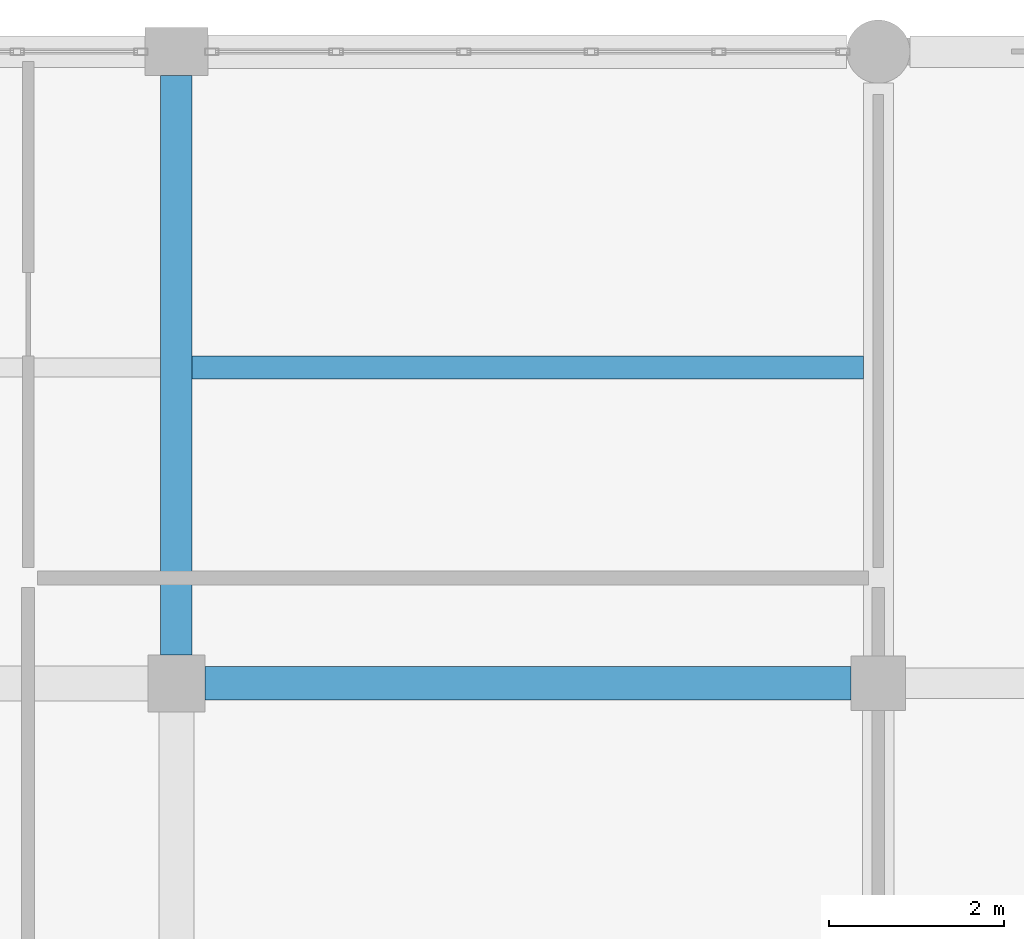
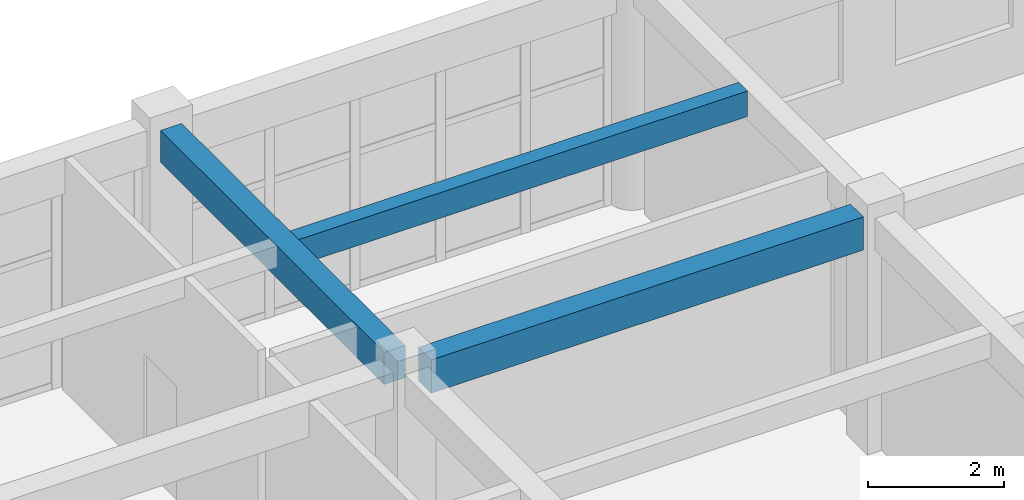
# One storey, part 76 of 160: 3 beams.
"""IFC4 building model written with IfcOpenShell, lengths in metres."""

from ifc_helpers import new_model, si_unit, direction, frame, origin, origin_2d, place, context, subcontext, project, spatial, rectangle, extrude, material, material_profile, profile_set, type_object, element, save


model = new_model("IFC4")

# Units and contexts
model_context = context("Model", 3, precision=1e-05, world=origin(), true_north=direction((0.0, 1.0)))
body_context = subcontext(model_context, "Body", "Model", "MODEL_VIEW")
ifc_project = project(units=[si_unit("LENGTHUNIT", "METRE"), si_unit("AREAUNIT", "SQUARE_METRE"), si_unit("VOLUMEUNIT", "CUBIC_METRE"), si_unit("PLANEANGLEUNIT", "RADIAN"), si_unit("MASSUNIT", "GRAM", prefix="KILO")], contexts=[model_context])

# Site, building, storey
site_placement = place(None, origin())
site = spatial("IfcSite", under=ifc_project, at=site_placement, CompositionType="ELEMENT")
building_placement = place(site_placement, origin())
building = spatial("IfcBuilding", under=site, at=building_placement, Name="Kharva Crest Polytechnic", CompositionType="ELEMENT")
storey_placement = place(building_placement, frame((0.0, 0.0, 4.5)))
storey = spatial("IfcBuildingStorey", under=building, at=storey_placement, Name="L01", CompositionType="ELEMENT", Elevation=4.5)

# Beams
ifc_material = material(Name="Concrete C35/45", Category="concrete")
ifc_material_profile_1 = material_profile(ifc_material, rectangle(XDim=0.360107421875, YDim=0.580078125, at=origin_2d()), Name="RECT 360 X 580")
ifc_profile_set_1 = profile_set([ifc_material_profile_1], Name="Concrete C35/45")
beam_type_1 = type_object("IfcBeamType", Name="BM-RC-360X580", PredefinedType="BEAM", material=ifc_profile_set_1)
beam_1_placement = place(storey_placement, frame((40.0, 115.125, 3.929931640625), z_axis=(0.0, 1.0, 0.0), x_axis=(-1.0, 0.0, 0.0)))
element("IfcBeam", 1, at=beam_1_placement, inside=storey, type_object=beam_type_1, Name="L01 Girder 6/R-S", PredefinedType="BEAM", context=body_context, shape_type="SweptSolid", body=[
    extrude(rectangle(XDim=0.360107421875, YDim=0.580078125, at=origin_2d()), origin(), (0.0, 0.0, 1.0), 6.60009765625),
])
ifc_material_profile_2 = material_profile(ifc_material, rectangle(XDim=0.3798828125, YDim=0.60009765625, at=origin_2d()), Name="RECT 380 X 600")
ifc_profile_set_2 = profile_set([ifc_material_profile_2], Name="Concrete C35/45")
beam_type_2 = type_object("IfcBeamType", Name="BM-RC-380X600", PredefinedType="BEAM", material=ifc_profile_set_2)
beam_2_placement = place(storey_placement, frame((40.324951171875, 114.800048828125, 3.919921875), z_axis=(1.0, 0.0, 0.0), x_axis=(0.0, 1.0, 0.0)))
element("IfcBeam", 2, at=beam_2_placement, inside=storey, type_object=beam_type_2, Name="L01 Beam R/6-7", PredefinedType="BEAM", context=body_context, shape_type="SweptSolid", body=[
    extrude(rectangle(XDim=0.3798828125, YDim=0.60009765625, at=origin_2d()), origin(), (0.0, 0.0, 1.0), 7.364990234375),
])
ifc_material_profile_3 = material_profile(ifc_material, rectangle(XDim=0.260009765625, YDim=0.4599609375, at=origin_2d()), Name="RECT 260 X 460")
ifc_profile_set_3 = profile_set([ifc_material_profile_3], Name="Concrete C35/45")
beam_type_3 = type_object("IfcBeamType", Name="JS-RC-260X460", PredefinedType="JOIST", material=ifc_profile_set_3)
beam_3_placement = place(storey_placement, frame((40.179931640625, 118.39990234375, 3.989990234375), z_axis=(1.0, 0.0, 0.0), x_axis=(0.0, 1.0, 0.0)))
element("IfcBeam", 3, at=beam_3_placement, inside=storey, type_object=beam_type_3, Name="L01 Floor Joist 46", PredefinedType="JOIST", context=body_context, shape_type="SweptSolid", body=[
    extrude(rectangle(XDim=0.260009765625, YDim=0.4599609375, at=origin_2d()), origin(), (0.0, 0.0, 1.0), 7.650146484375),
])

save(model, "model.ifc")
